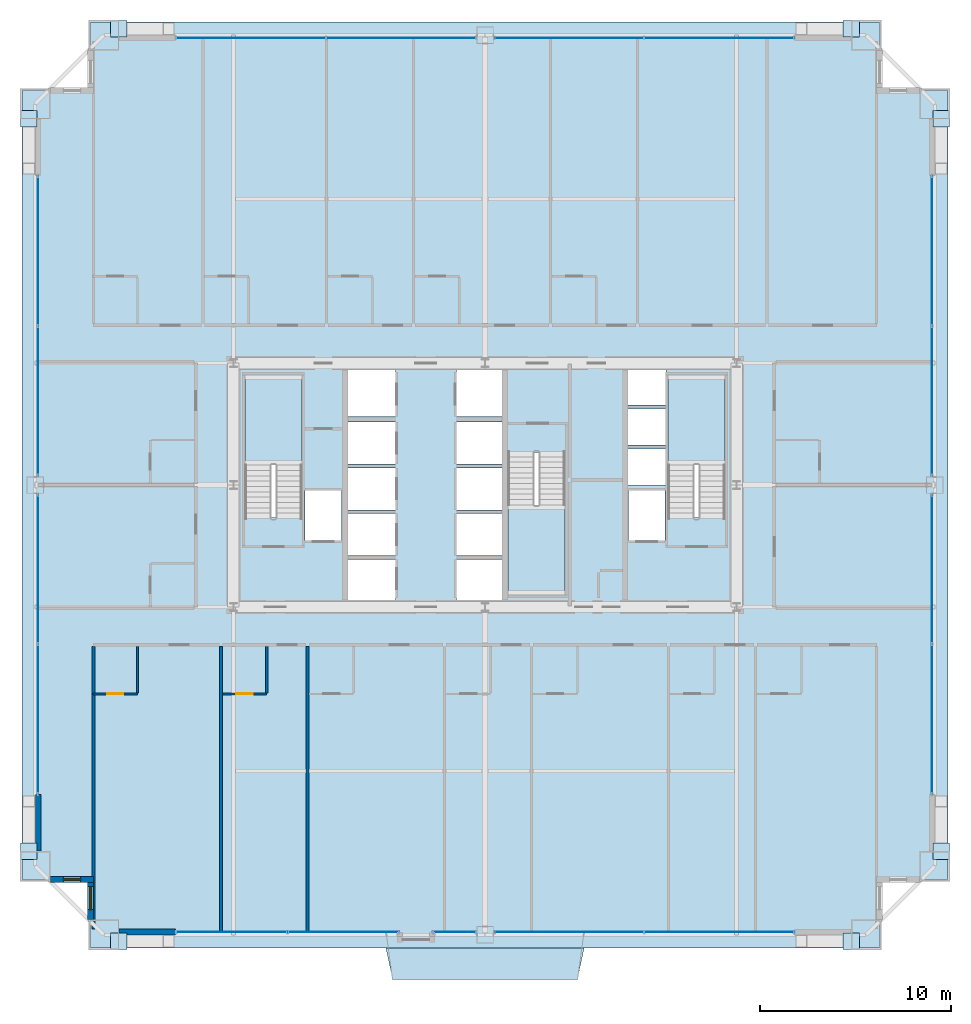
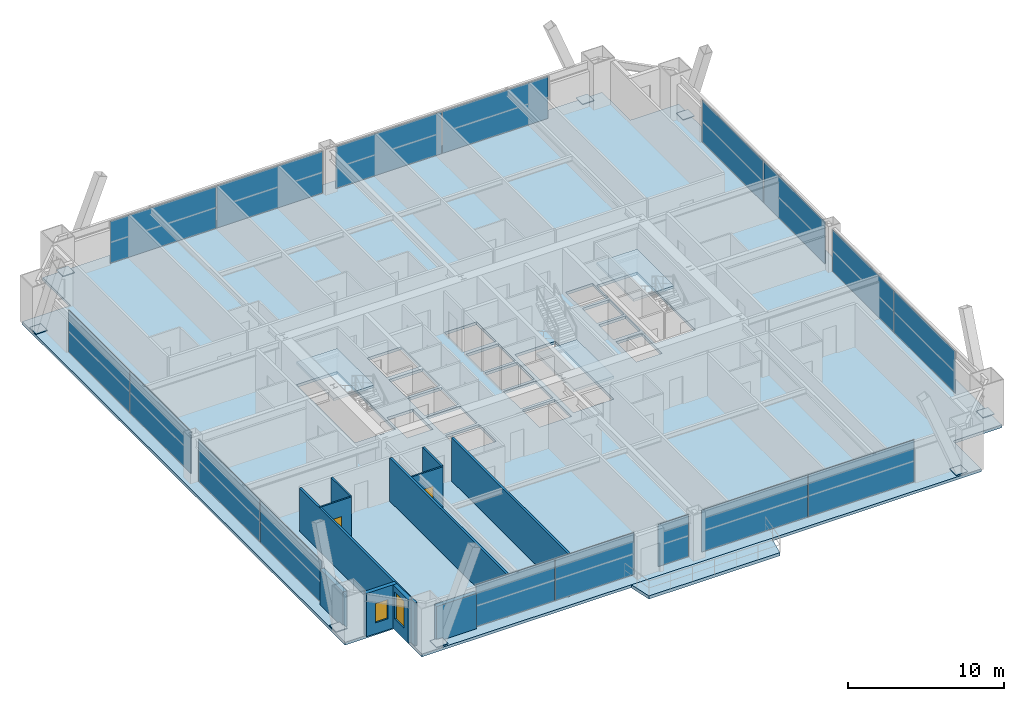
# One storey, part 37 of 43: 25 plates, 11 walls, 5 slabs, 2 doors, 2 windows, 4 openings, 12 elements without a shape of their own.
"""IFC4 building model written with IfcOpenShell, lengths in metres."""

from ifc_helpers import new_model, si_unit, direction, frame, frame_2d, origin, origin_2d, place, context, subcontext, project, spatial, polyline, rectangle, outline, extrude, source, transform, mapped, material, layer, layer_set, type_object, element, fill, aggregate, save


model = new_model("IFC4")

# Units and contexts
model_context = context("Model", 3, precision=1e-05, world=origin(), true_north=direction((0.0, 1.0)))
body_context = subcontext(model_context, "Body", "Model", "MODEL_VIEW")
ifc_project = project(units=[si_unit("LENGTHUNIT", "METRE"), si_unit("AREAUNIT", "SQUARE_METRE"), si_unit("VOLUMEUNIT", "CUBIC_METRE"), si_unit("PLANEANGLEUNIT", "RADIAN"), si_unit("MASSUNIT", "GRAM", prefix="KILO"), si_unit("THERMODYNAMICTEMPERATUREUNIT", "KELVIN"), si_unit("POWERUNIT", "WATT")], contexts=[model_context])

# Site, building, storey
site_placement = place(None, origin())
site = spatial("IfcSite", under=ifc_project, at=site_placement, CompositionType="ELEMENT")
building_placement = place(site_placement, origin())
building = spatial("IfcBuilding", under=site, at=building_placement, Name="Yuzanri Waterfront Tower", CompositionType="ELEMENT")
storey_placement = place(building_placement, frame((0.0, 0.0, 93.800048828125)))
storey = spatial("IfcBuildingStorey", under=building, at=storey_placement, Name="L24", CompositionType="ELEMENT", Elevation=93.800048828125)

# Stair, slab
ifc_material_1 = material(Name="Concrete C40", Category="concrete")
stair_type = type_object("IfcStairType", Name="Concrete C40 Core Dogleg Exit Stair", PredefinedType="HALF_TURN_STAIR", material=ifc_material_1)
stair_1_placement = place(storey_placement, origin())
stair_1 = element("IfcStair", 1, at=stair_1_placement, inside=storey, type_object=stair_type, Name="L24 Smoke-Proof Core Stair ST-01", PredefinedType="HALF_TURN_STAIR")
ifc_material_2 = material(Name="Concrete C40", Category="concrete")
ifc_layer_1 = layer(ifc_material_2, 0.179931640625)
ifc_layer_set_1 = layer_set([ifc_layer_1], Name="Concrete C40")
slab_type_1 = type_object("IfcSlabType", Name="Concrete C40 Stair Half-Landing Slab 180", PredefinedType="LANDING", material=ifc_layer_set_1)
slab_1_placement = place(storey_placement, frame((0.0, 0.0, 1.599853515625)))
slab_1 = element("IfcSlab", 2, at=slab_1_placement, type_object=slab_type_1, Name="ST-01 landing 1", PredefinedType="LANDING", context=body_context, shape_type="SweptSolid", body=[
    extrude(outline(polyline([(27.39990234375, 26.840087890625), (27.39990234375, 31.580078125), (24.39990234375, 31.580078125), (24.39990234375, 26.840087890625), (27.39990234375, 26.840087890625)])), origin(), (0.0, 0.0, 1.0), 0.2001953125),
])
aggregate(stair_1, [slab_1])

stair_2_placement = place(storey_placement, origin())
stair_2 = element("IfcStair", 3, at=stair_2_placement, inside=storey, type_object=stair_type, Name="L24 Smoke-Proof Core Stair ST-02", PredefinedType="HALF_TURN_STAIR")
slab_2_placement = place(storey_placement, frame((0.0, 0.0, 1.599853515625)))
slab_2 = element("IfcSlab", 4, at=slab_2_placement, type_object=slab_type_1, Name="ST-02 landing 1", PredefinedType="LANDING", context=body_context, shape_type="SweptSolid", body=[
    extrude(outline(polyline([(49.60009765625, 26.840087890625), (49.60009765625, 31.580078125), (46.60009765625, 31.580078125), (46.60009765625, 26.840087890625), (49.60009765625, 26.840087890625)])), origin(), (0.0, 0.0, 1.0), 0.2001953125),
])
aggregate(stair_2, [slab_2])

stair_3_placement = place(storey_placement, origin())
stair_3 = element("IfcStair", 5, at=stair_3_placement, inside=storey, type_object=stair_type, Name="L24 Smoke-Proof Core Stair ST-03", PredefinedType="HALF_TURN_STAIR")
slab_3_placement = place(storey_placement, frame((0.0, 0.0, 1.599853515625)))
slab_3 = element("IfcSlab", 6, at=slab_3_placement, type_object=slab_type_1, Name="ST-03 landing 1", PredefinedType="LANDING", context=body_context, shape_type="SweptSolid", body=[
    extrude(outline(polyline([(38.199951171875, 24.760009765625), (38.199951171875, 20.02001953125), (41.199951171875, 20.02001953125), (41.199951171875, 24.760009765625), (38.199951171875, 24.760009765625)])), origin(), (0.0, 0.0, 1.0), 0.2001953125),
])
aggregate(stair_3, [slab_3])

# Slabs
ifc_material_3 = material(Name="Concrete C40", Category="concrete")
ifc_layer_2 = layer(ifc_material_3, 0.25)
ifc_layer_set_2 = layer_set([ifc_layer_2], Name="Concrete C40")
slab_type_2 = type_object("IfcSlabType", Name="Concrete C40 Stepped Gorge Pocket Garden Terrace Slab 250", PredefinedType="FLOOR", material=ifc_layer_set_2)
slab_4_placement = place(storey_placement, frame((0.0, 0.0, -0.25)))
element("IfcSlab", 7, at=slab_4_placement, inside=storey, type_object=slab_type_2, Name="L24 S Cantilevered Engawa Terrace Slab", PredefinedType="FLOOR", context=body_context, shape_type="SweptSolid", body=[
    extrude(outline(polyline([(31.802490234375, 1.5), (42.197509765625, 1.5), (41.847412109375, -0.14599609375), (32.152587890625, -0.14599609375), (31.802490234375, 1.5)])), origin(), (0.0, 0.0, 1.0), 0.25),
])
ifc_material_4 = material(Name="Concrete C40", Category="concrete")
ifc_layer_3 = layer(ifc_material_4, 0.219970703125)
ifc_layer_set_3 = layer_set([ifc_layer_3], Name="Concrete C40")
slab_type_3 = type_object("IfcSlabType", Name="Concrete C40 Tower Typical Structural Floor Slab 220", PredefinedType="FLOOR", material=ifc_layer_set_3)
slab_5_placement = place(storey_placement, frame((0.0, 0.0, -0.219970703125)))
element("IfcSlab", 8, at=slab_5_placement, inside=storey, type_object=slab_type_3, Name="L24 Main Structural Floor Slab", PredefinedType="FLOOR", context=body_context, shape_type="SweptSolid", body=[
    extrude(outline(polyline([(16.300048828125, 1.5), (57.699951171875, 1.5), (57.699951171875, 5.10009765625), (61.300048828125, 5.10009765625), (61.300048828125, 46.5), (57.699951171875, 46.5), (57.699951171875, 50.10009765625), (16.300048828125, 50.10009765625), (16.300048828125, 46.5), (12.699951171875, 46.5), (12.699951171875, 5.10009765625), (16.300048828125, 5.10009765625), (16.300048828125, 1.5)]), holes=[polyline([(27.39990234375, 24.10009765625), (27.39990234375, 31.580078125), (24.39990234375, 31.580078125), (24.39990234375, 24.10009765625), (27.39990234375, 24.10009765625)]), polyline([(49.60009765625, 24.10009765625), (49.60009765625, 31.580078125), (46.60009765625, 31.580078125), (46.60009765625, 24.10009765625), (49.60009765625, 24.10009765625)]), polyline([(38.199951171875, 27.5), (38.199951171875, 20.02001953125), (41.199951171875, 20.02001953125), (41.199951171875, 27.5), (38.199951171875, 27.5)]), polyline([(27.56005859375, 22.89990234375), (29.47998046875, 22.89990234375), (29.47998046875, 25.5), (27.56005859375, 25.5), (27.56005859375, 22.89990234375)]), polyline([(44.52001953125, 22.89990234375), (46.43994140625, 22.89990234375), (46.43994140625, 25.5), (44.52001953125, 25.5), (44.52001953125, 22.89990234375)]), polyline([(29.800048828125, 19.699951171875), (32.300048828125, 19.699951171875), (32.300048828125, 21.89990234375), (29.800048828125, 21.89990234375), (29.800048828125, 19.699951171875)]), polyline([(29.800048828125, 22.10009765625), (32.300048828125, 22.10009765625), (32.300048828125, 24.300048828125), (29.800048828125, 24.300048828125), (29.800048828125, 22.10009765625)]), polyline([(29.800048828125, 24.5), (32.300048828125, 24.5), (32.300048828125, 26.699951171875), (29.800048828125, 26.699951171875), (29.800048828125, 24.5)]), polyline([(29.800048828125, 26.89990234375), (32.300048828125, 26.89990234375), (32.300048828125, 29.10009765625), (29.800048828125, 29.10009765625), (29.800048828125, 26.89990234375)]), polyline([(29.800048828125, 29.39990234375), (32.300048828125, 29.39990234375), (32.300048828125, 31.89990234375), (29.800048828125, 31.89990234375), (29.800048828125, 29.39990234375)]), polyline([(35.5, 19.699951171875), (37.89990234375, 19.699951171875), (37.89990234375, 21.89990234375), (35.5, 21.89990234375), (35.5, 19.699951171875)]), polyline([(35.5, 22.10009765625), (37.89990234375, 22.10009765625), (37.89990234375, 24.300048828125), (35.5, 24.300048828125), (35.5, 22.10009765625)]), polyline([(35.5, 24.5), (37.89990234375, 24.5), (37.89990234375, 26.699951171875), (35.5, 26.699951171875), (35.5, 24.5)]), polyline([(35.5, 26.89990234375), (37.89990234375, 26.89990234375), (37.89990234375, 29.10009765625), (35.5, 29.10009765625), (35.5, 26.89990234375)]), polyline([(35.5, 29.39990234375), (37.89990234375, 29.39990234375), (37.89990234375, 31.89990234375), (35.5, 31.89990234375), (35.5, 29.39990234375)]), polyline([(44.5, 25.800048828125), (46.5, 25.800048828125), (46.5, 27.699951171875), (44.5, 27.699951171875), (44.5, 25.800048828125)]), polyline([(44.5, 27.89990234375), (46.5, 27.89990234375), (46.5, 29.800048828125), (44.5, 29.800048828125), (44.5, 27.89990234375)]), polyline([(44.5, 30.0), (46.5, 30.0), (46.5, 31.89990234375), (44.5, 31.89990234375), (44.5, 30.0)])]), origin(), (0.0, 0.0, 1.0), 0.219970703125),
])

# Plates
ifc_material_5 = material(Name="Steel Q420GJC", Category="steel")
ifc_layer_4 = layer(ifc_material_5, 0.0400390625)
ifc_layer_set_4 = layer_set([ifc_layer_4], Name="Steel Q420GJC")
plate_type_1 = type_object("IfcPlateType", Name="Steel Q420GJC Mega-Brace Gusset and End-Cap Plate 40", PredefinedType="SHEET", material=ifc_layer_set_4)
shared_shape_1 = source(origin(), body_context, "Body", "SweptSolid", [
    extrude(rectangle(XDim=0.85009765625, YDim=0.85009765625, at=origin_2d()), origin(), (0.0, 0.0, 1.0), 0.0400390625),
])
for number, where, z_axis, x_axis, name in (
    (9, (17.780029296875, 1.860107421875, 0.159912109375), (0.0, 0.0, 1.0), (1.0, 0.0, 0.0), "L24 Mega-Brace Foot Cap Plate S-L"),
    (10, (56.219970703125, 1.860107421875, 0.159912109375), (0.0, 0.0, 1.0), (1.0, 0.0, 0.0), "L24 Mega-Brace Foot Cap Plate S-R"),
    (11, (17.780029296875, 49.739990234375, 0.159912109375), (0.0, 0.0, 1.0), (1.0, 0.0, 0.0), "L24 Mega-Brace Foot Cap Plate N-L"),
    (12, (56.219970703125, 49.739990234375, 0.159912109375), (0.0, 0.0, 1.0), (1.0, 0.0, 0.0), "L24 Mega-Brace Foot Cap Plate N-R"),
    (13, (13.06005859375, 6.580078125, 0.159912109375), (0.0, 0.0, 1.0), (1.0, 0.0, 0.0), "L24 Mega-Brace Foot Cap Plate W-L"),
    (14, (13.06005859375, 45.02001953125, 0.159912109375), (0.0, 0.0, 1.0), (1.0, 0.0, 0.0), "L24 Mega-Brace Foot Cap Plate W-R"),
    (15, (60.93994140625, 6.580078125, 0.159912109375), (0.0, 0.0, 1.0), (1.0, 0.0, 0.0), "L24 Mega-Brace Foot Cap Plate E-L"),
    (16, (60.93994140625, 45.02001953125, 0.159912109375), (0.0, 0.0, 1.0), (1.0, 0.0, 0.0), "L24 Mega-Brace Foot Cap Plate E-R"),
):
    element("IfcPlate", number, at=place(storey_placement, frame(where, z_axis=z_axis, x_axis=x_axis)), inside=storey, type_object=plate_type_1, Name=name, PredefinedType="SHEET", context=body_context, shape_type="MappedRepresentation", body=[
        mapped(shared_shape_1, transform((0.0, 0.0, 0.0), scale=1.0)),
    ])

# Curtain wall, plates
ifc_material_6 = material(Name="Anodized Architectural Bronze", Category="metal")
ifc_layer_5 = layer(ifc_material_6, 0.159912109375)
ifc_layer_set_5 = layer_set([ifc_layer_5], Name="Anodized Architectural Bronze")
curtain_wall_type = type_object("IfcCurtainWallType", Name="Anodized Bronze Hotel Upper-Tier Solar-Control Unitized Curtain Wall 7800", PredefinedType="NOTDEFINED", material=ifc_layer_set_5)
curtain_wall_1_placement = place(storey_placement, origin())
curtain_wall_1 = element("IfcCurtainWall", 17, at=curtain_wall_1_placement, inside=storey, type_object=curtain_wall_type, Name="L24 Curtain Wall CW-L24-SR", PredefinedType="NOTDEFINED")
ifc_material_7 = material(Name="Double-Silver Low-E Insulated Glass", Category="glass")
ifc_layer_6 = layer(ifc_material_7, 0.035888671875)
ifc_layer_set_6 = layer_set([ifc_layer_6], Name="Double-Silver Low-E Insulated Glass")
plate_type_2 = type_object("IfcPlateType", Name="Double Silver Low-E Insulated Vision Glass Panel 36", PredefinedType="CURTAIN_PANEL", material=ifc_layer_set_6)
shared_shape_2 = source(origin(), body_context, "Body", "SweptSolid", [
    extrude(rectangle(XDim=7.820068359375, YDim=0.035888671875, at=origin_2d()), origin(), (0.0, 0.0, 1.0), 3.280029296875),
])
plate_1_placement = place(storey_placement, frame((41.39990234375, 2.35009765625, 0.0498046875), z_axis=(0.0, 0.0, 1.0), x_axis=(1.0, 0.0, 0.0)))
plate_1 = element("IfcPlate", 18, at=plate_1_placement, type_object=plate_type_2, Name="CW-L24-SR Vision Glass Panel 01", PredefinedType="CURTAIN_PANEL", context=body_context, shape_type="MappedRepresentation", body=[
    mapped(shared_shape_2, transform((0.0, 0.0, 0.0), scale=1.0)),
])
plate_2_placement = place(storey_placement, frame((49.300048828125, 2.35009765625, 0.0498046875), z_axis=(0.0, 0.0, 1.0), x_axis=(1.0, 0.0, 0.0)))
plate_2 = element("IfcPlate", 19, at=plate_2_placement, type_object=plate_type_2, Name="CW-L24-SR Vision Glass Panel 02", PredefinedType="CURTAIN_PANEL", context=body_context, shape_type="MappedRepresentation", body=[
    mapped(shared_shape_2, transform((0.0, 0.0, 0.0), scale=1.0)),
])
aggregate(curtain_wall_1, [plate_1, plate_2])

curtain_wall_2_placement = place(storey_placement, origin())
curtain_wall_2 = element("IfcCurtainWall", 20, at=curtain_wall_2_placement, inside=storey, type_object=curtain_wall_type, Name="L24 Curtain Wall CW-L24-NL", PredefinedType="NOTDEFINED")
plate_3_placement = place(storey_placement, frame((24.699951171875, 49.25, 0.0498046875), z_axis=(0.0, 0.0, 1.0), x_axis=(1.0, 0.0, 0.0)))
plate_3 = element("IfcPlate", 21, at=plate_3_placement, type_object=plate_type_2, Name="CW-L24-NL Vision Glass Panel 01", PredefinedType="CURTAIN_PANEL", context=body_context, shape_type="MappedRepresentation", body=[
    mapped(shared_shape_2, transform((0.0, 0.0, 0.0), scale=1.0)),
])
plate_4_placement = place(storey_placement, frame((32.60009765625, 49.25, 0.0498046875), z_axis=(0.0, 0.0, 1.0), x_axis=(1.0, 0.0, 0.0)))
plate_4 = element("IfcPlate", 22, at=plate_4_placement, type_object=plate_type_2, Name="CW-L24-NL Vision Glass Panel 02", PredefinedType="CURTAIN_PANEL", context=body_context, shape_type="MappedRepresentation", body=[
    mapped(shared_shape_2, transform((0.0, 0.0, 0.0), scale=1.0)),
])
aggregate(curtain_wall_2, [plate_3, plate_4])

curtain_wall_3_placement = place(storey_placement, origin())
curtain_wall_3 = element("IfcCurtainWall", 23, at=curtain_wall_3_placement, inside=storey, type_object=curtain_wall_type, Name="L24 Curtain Wall CW-L24-NR", PredefinedType="NOTDEFINED")
plate_5_placement = place(storey_placement, frame((41.39990234375, 49.25, 0.0498046875), z_axis=(0.0, 0.0, 1.0), x_axis=(1.0, 0.0, 0.0)))
plate_5 = element("IfcPlate", 24, at=plate_5_placement, type_object=plate_type_2, Name="CW-L24-NR Vision Glass Panel 01", PredefinedType="CURTAIN_PANEL", context=body_context, shape_type="MappedRepresentation", body=[
    mapped(shared_shape_2, transform((0.0, 0.0, 0.0), scale=1.0)),
])
plate_6_placement = place(storey_placement, frame((49.300048828125, 49.25, 0.0498046875), z_axis=(0.0, 0.0, 1.0), x_axis=(1.0, 0.0, 0.0)))
plate_6 = element("IfcPlate", 25, at=plate_6_placement, type_object=plate_type_2, Name="CW-L24-NR Vision Glass Panel 02", PredefinedType="CURTAIN_PANEL", context=body_context, shape_type="MappedRepresentation", body=[
    mapped(shared_shape_2, transform((0.0, 0.0, 0.0), scale=1.0)),
])
aggregate(curtain_wall_3, [plate_5, plate_6])

curtain_wall_4_placement = place(storey_placement, origin())
curtain_wall_4 = element("IfcCurtainWall", 26, at=curtain_wall_4_placement, inside=storey, type_object=curtain_wall_type, Name="L24 Curtain Wall CW-L24-WL", PredefinedType="NOTDEFINED")
plate_7_placement = place(storey_placement, frame((13.550048828125, 13.5, 0.0498046875), z_axis=(0.0, 0.0, 1.0), x_axis=(0.0, 1.0, 0.0)))
plate_7 = element("IfcPlate", 27, at=plate_7_placement, type_object=plate_type_2, Name="CW-L24-WL Vision Glass Panel 01", PredefinedType="CURTAIN_PANEL", context=body_context, shape_type="MappedRepresentation", body=[
    mapped(shared_shape_2, transform((0.0, 0.0, 0.0), scale=1.0)),
])
plate_8_placement = place(storey_placement, frame((13.550048828125, 21.39990234375, 0.0498046875), z_axis=(0.0, 0.0, 1.0), x_axis=(0.0, 1.0, 0.0)))
plate_8 = element("IfcPlate", 28, at=plate_8_placement, type_object=plate_type_2, Name="CW-L24-WL Vision Glass Panel 02", PredefinedType="CURTAIN_PANEL", context=body_context, shape_type="MappedRepresentation", body=[
    mapped(shared_shape_2, transform((0.0, 0.0, 0.0), scale=1.0)),
])
aggregate(curtain_wall_4, [plate_7, plate_8])

curtain_wall_5_placement = place(storey_placement, origin())
curtain_wall_5 = element("IfcCurtainWall", 29, at=curtain_wall_5_placement, inside=storey, type_object=curtain_wall_type, Name="L24 Curtain Wall CW-L24-WR", PredefinedType="NOTDEFINED")
plate_9_placement = place(storey_placement, frame((13.550048828125, 30.199951171875, 0.0498046875), z_axis=(0.0, 0.0, 1.0), x_axis=(0.0, 1.0, 0.0)))
plate_9 = element("IfcPlate", 30, at=plate_9_placement, type_object=plate_type_2, Name="CW-L24-WR Vision Glass Panel 01", PredefinedType="CURTAIN_PANEL", context=body_context, shape_type="MappedRepresentation", body=[
    mapped(shared_shape_2, transform((0.0, 0.0, 0.0), scale=1.0)),
])
plate_10_placement = place(storey_placement, frame((13.550048828125, 38.10009765625, 0.0498046875), z_axis=(0.0, 0.0, 1.0), x_axis=(0.0, 1.0, 0.0)))
plate_10 = element("IfcPlate", 31, at=plate_10_placement, type_object=plate_type_2, Name="CW-L24-WR Vision Glass Panel 02", PredefinedType="CURTAIN_PANEL", context=body_context, shape_type="MappedRepresentation", body=[
    mapped(shared_shape_2, transform((0.0, 0.0, 0.0), scale=1.0)),
])
aggregate(curtain_wall_5, [plate_9, plate_10])

curtain_wall_6_placement = place(storey_placement, origin())
curtain_wall_6 = element("IfcCurtainWall", 32, at=curtain_wall_6_placement, inside=storey, type_object=curtain_wall_type, Name="L24 Curtain Wall CW-L24-EL", PredefinedType="NOTDEFINED")
plate_11_placement = place(storey_placement, frame((60.449951171875, 13.5, 0.0498046875), z_axis=(0.0, 0.0, 1.0), x_axis=(0.0, 1.0, 0.0)))
plate_11 = element("IfcPlate", 33, at=plate_11_placement, type_object=plate_type_2, Name="CW-L24-EL Vision Glass Panel 01", PredefinedType="CURTAIN_PANEL", context=body_context, shape_type="MappedRepresentation", body=[
    mapped(shared_shape_2, transform((0.0, 0.0, 0.0), scale=1.0)),
])
plate_12_placement = place(storey_placement, frame((60.449951171875, 21.39990234375, 0.0498046875), z_axis=(0.0, 0.0, 1.0), x_axis=(0.0, 1.0, 0.0)))
plate_12 = element("IfcPlate", 34, at=plate_12_placement, type_object=plate_type_2, Name="CW-L24-EL Vision Glass Panel 02", PredefinedType="CURTAIN_PANEL", context=body_context, shape_type="MappedRepresentation", body=[
    mapped(shared_shape_2, transform((0.0, 0.0, 0.0), scale=1.0)),
])
aggregate(curtain_wall_6, [plate_11, plate_12])

curtain_wall_7_placement = place(storey_placement, origin())
curtain_wall_7 = element("IfcCurtainWall", 35, at=curtain_wall_7_placement, inside=storey, type_object=curtain_wall_type, Name="L24 Curtain Wall CW-L24-ER", PredefinedType="NOTDEFINED")
plate_13_placement = place(storey_placement, frame((60.449951171875, 30.199951171875, 0.0498046875), z_axis=(0.0, 0.0, 1.0), x_axis=(0.0, 1.0, 0.0)))
plate_13 = element("IfcPlate", 36, at=plate_13_placement, type_object=plate_type_2, Name="CW-L24-ER Vision Glass Panel 01", PredefinedType="CURTAIN_PANEL", context=body_context, shape_type="MappedRepresentation", body=[
    mapped(shared_shape_2, transform((0.0, 0.0, 0.0), scale=1.0)),
])
plate_14_placement = place(storey_placement, frame((60.449951171875, 38.10009765625, 0.0498046875), z_axis=(0.0, 0.0, 1.0), x_axis=(0.0, 1.0, 0.0)))
plate_14 = element("IfcPlate", 37, at=plate_14_placement, type_object=plate_type_2, Name="CW-L24-ER Vision Glass Panel 02", PredefinedType="CURTAIN_PANEL", context=body_context, shape_type="MappedRepresentation", body=[
    mapped(shared_shape_2, transform((0.0, 0.0, 0.0), scale=1.0)),
])
aggregate(curtain_wall_7, [plate_13, plate_14])

curtain_wall_8_placement = place(storey_placement, origin())
curtain_wall_8 = element("IfcCurtainWall", 38, at=curtain_wall_8_placement, inside=storey, type_object=curtain_wall_type, Name="L24 Curtain Wall CW-L24-SL1", PredefinedType="NOTDEFINED")
shared_shape_3 = source(origin(), body_context, "Body", "SweptSolid", [
    extrude(rectangle(XDim=5.8095703125, YDim=0.035888671875, at=origin_2d()), origin(), (0.0, 0.0, 1.0), 3.280029296875),
])
plate_15_placement = place(storey_placement, frame((23.694580078125, 2.35009765625, 0.0498046875), z_axis=(0.0, 0.0, 1.0), x_axis=(1.0, 0.0, 0.0)))
plate_15 = element("IfcPlate", 39, at=plate_15_placement, type_object=plate_type_2, Name="CW-L24-SL1 Vision Glass Panel 01", PredefinedType="CURTAIN_PANEL", context=body_context, shape_type="MappedRepresentation", body=[
    mapped(shared_shape_3, transform((0.0, 0.0, 0.0), scale=1.0)),
])
plate_16_placement = place(storey_placement, frame((29.584228515625, 2.35009765625, 0.0498046875), z_axis=(0.0, 0.0, 1.0), x_axis=(1.0, 0.0, 0.0)))
plate_16 = element("IfcPlate", 40, at=plate_16_placement, type_object=plate_type_2, Name="CW-L24-SL1 Vision Glass Panel 02", PredefinedType="CURTAIN_PANEL", context=body_context, shape_type="MappedRepresentation", body=[
    mapped(shared_shape_3, transform((0.0, 0.0, 0.0), scale=1.0)),
])
aggregate(curtain_wall_8, [plate_15, plate_16])

# Curtain wall, plate
curtain_wall_9_placement = place(storey_placement, origin())
curtain_wall_9 = element("IfcCurtainWall", 41, at=curtain_wall_9_placement, inside=storey, type_object=curtain_wall_type, Name="L24 Curtain Wall CW-L24-SL2", PredefinedType="NOTDEFINED")
shared_shape_4 = source(origin(), body_context, "Body", "SweptSolid", [
    extrude(rectangle(XDim=2.240966796875, YDim=0.035888671875, at=origin_2d()), origin(), (0.0, 0.0, 1.0), 3.280029296875),
])
plate_17_placement = place(storey_placement, frame((35.389404296875, 2.35009765625, 0.0498046875), z_axis=(0.0, 0.0, 1.0), x_axis=(1.0, 0.0, 0.0)))
plate_17 = element("IfcPlate", 42, at=plate_17_placement, type_object=plate_type_2, Name="CW-L24-SL2 Vision Glass Panel 01", PredefinedType="CURTAIN_PANEL", context=body_context, shape_type="MappedRepresentation", body=[
    mapped(shared_shape_4, transform((0.0, 0.0, 0.0), scale=1.0)),
])
aggregate(curtain_wall_9, [plate_17])

# Wall, opening, door
ifc_material_8 = material(Name="Moisture-Resistant Gypsum Stud Wall", Category="gypsum")
ifc_layer_7 = layer(ifc_material_8, 0.1201171875)
ifc_layer_set_7 = layer_set([ifc_layer_7], Name="Moisture-Resistant Gypsum Stud Wall")
wall_type_1 = type_object("IfcWallType", Name="Bathroom and Kitchen Wet Partition 120", PredefinedType="PARTITIONING", material=ifc_layer_set_7)
wall_1_placement = place(storey_placement, frame((16.43994140625, 14.840087890625, 0.0), z_axis=(0.0, 0.0, 1.0), x_axis=(1.0, 0.0, 0.0)))
wall_1 = element("IfcWall", 43, at=wall_1_placement, inside=storey, type_object=wall_type_1, Name="L24 Partition UW-L24-S1-BS", PredefinedType="PARTITIONING", context=body_context, shape_type="SweptSolid", body=[
    extrude(rectangle(XDim=2.330078125, YDim=0.1201171875, at=frame_2d((1.1650390625, 0.0))), origin(), (0.0, 0.0, 1.0), 3.3798828125),
])
opening_1_placement = place(wall_1_placement, frame((0.739990234375, 0.0, 0.0)))
opening_1 = element("IfcOpeningElement", 44, at=opening_1_placement, cuts=wall_1, Name="Opening ID-0850", PredefinedType="OPENING", context=body_context, shape_type="SweptSolid", body=[
    extrude(rectangle(XDim=0.85009765625, YDim=2.10009765625, at=frame_2d((0.425048828125, 1.050048828125))), frame((0.0, 0.074951171875, 0.0), z_axis=(0.0, -1.0, 0.0), x_axis=(1.0, 0.0, 0.0)), (0.0, 0.0, 1.0), 0.14990234375),
])
ifc_material_9 = material(Name="Moisture-Resistant Lacquered Timber", Category="wood")
door_type = type_object("IfcDoorType", Name="En-Suite Bathroom and Kitchen Swing Door 850x2100", OperationType="NOTDEFINED", PredefinedType="DOOR", material=ifc_material_9)
shared_shape_5 = source(origin(), body_context, "Body", "SweptSolid", [
    extrude(rectangle(XDim=0.85009765625, YDim=2.10009765625, at=frame_2d((0.425048828125, 1.050048828125))), frame((0.0, 0.02490234375, 0.0), z_axis=(0.0, -1.0, 0.0), x_axis=(1.0, 0.0, 0.0)), (0.0, 0.0, 1.0), 0.050048828125),
])
door_1_placement = place(opening_1_placement, origin())
door_1 = element("IfcDoor", 45, at=door_1_placement, inside=storey, type_object=door_type, Name="L24 Guest En-Suite Door", OperationType="SINGLE_SWING_LEFT", OverallHeight=2.10009765625, OverallWidth=0.85009765625, PredefinedType="DOOR", context=body_context, shape_type="MappedRepresentation", body=[
    mapped(shared_shape_5, transform((0.0, 0.0, 0.0), scale=1.0)),
])
fill(opening_1, door_1)

wall_2_placement = place(storey_placement, frame((23.217041015625, 14.840087890625, 0.0), z_axis=(0.0, 0.0, 1.0), x_axis=(1.0, 0.0, 0.0)))
wall_2 = element("IfcWall", 46, at=wall_2_placement, inside=storey, type_object=wall_type_1, Name="L24 Partition UW-L24-S2-BS", PredefinedType="PARTITIONING", context=body_context, shape_type="SweptSolid", body=[
    extrude(rectangle(XDim=2.327880859375, YDim=0.1201171875, at=frame_2d((1.1640625, 0.0))), origin(), (0.0, 0.0, 1.0), 3.3798828125),
])
opening_2_placement = place(wall_2_placement, frame((0.739013671875, 0.0, 0.0)))
opening_2 = element("IfcOpeningElement", 47, at=opening_2_placement, cuts=wall_2, Name="Opening ID-0850", PredefinedType="OPENING", context=body_context, shape_type="SweptSolid", body=[
    extrude(rectangle(XDim=0.85009765625, YDim=2.10009765625, at=frame_2d((0.425048828125, 1.050048828125))), frame((0.0, 0.074951171875, 0.0), z_axis=(0.0, -1.0, 0.0), x_axis=(1.0, 0.0, 0.0)), (0.0, 0.0, 1.0), 0.14990234375),
])
door_2_placement = place(opening_2_placement, origin())
door_2 = element("IfcDoor", 48, at=door_2_placement, inside=storey, type_object=door_type, Name="L24 Guest En-Suite Door", OperationType="SINGLE_SWING_LEFT", OverallHeight=2.10009765625, OverallWidth=0.85009765625, PredefinedType="DOOR", context=body_context, shape_type="MappedRepresentation", body=[
    mapped(shared_shape_5, transform((0.0, 0.0, 0.0), scale=1.0)),
])
fill(opening_2, door_2)

# Wall, opening, window
ifc_material_10 = material(Name="Honed Chongqing Dark Basalt Stone", Category="masonry")
ifc_layer_8 = layer(ifc_material_10, 0.300048828125)
ifc_layer_set_8 = layer_set([ifc_layer_8], Name="Honed Chongqing Dark Basalt Stone")
wall_type_2 = type_object("IfcWallType", Name="Bronze Rainscreen Insulated Spandrel Portal Wall 300", PredefinedType="SOLIDWALL", material=ifc_layer_set_8)
wall_3_placement = place(storey_placement, frame((14.199951171875, 5.10009765625, 0.0), z_axis=(0.0, 0.0, 1.0), x_axis=(1.0, 0.0, 0.0)))
wall_3 = element("IfcWall", 49, at=wall_3_placement, inside=storey, type_object=wall_type_2, Name="L24 Notched Corner Masonry Wall SW-X", PredefinedType="SOLIDWALL", context=body_context, shape_type="SweptSolid", body=[
    extrude(rectangle(XDim=2.25, YDim=0.300048828125, at=frame_2d((1.125, 0.0))), origin(), (0.0, 0.0, 1.0), 3.3798828125),
])
opening_3_placement = place(wall_3_placement, frame((0.675048828125, 0.0, 0.85009765625)))
opening_3 = element("IfcOpeningElement", 50, at=opening_3_placement, cuts=wall_3, Name="Opening WN-05", PredefinedType="OPENING", context=body_context, shape_type="SweptSolid", body=[
    extrude(rectangle(XDim=0.89990234375, YDim=1.5, at=frame_2d((0.449951171875, 0.75))), frame((0.0, 0.1650390625, 0.0), z_axis=(0.0, -1.0, 0.0), x_axis=(1.0, 0.0, 0.0)), (0.0, 0.0, 1.0), 0.329833984375),
])
ifc_material_11 = material(Name="Double-Silver Low-E Insulated Glass", Category="glass")
window_type_1 = type_object("IfcWindowType", Name="Anodized Bronze Service and Stairwell Smoke-Vent Window 900x1500", PartitioningType="SINGLE_PANEL", PredefinedType="WINDOW", material=ifc_material_11)
shared_shape_6 = source(origin(), body_context, "Body", "SweptSolid", [
    extrude(rectangle(XDim=0.89990234375, YDim=1.5, at=frame_2d((0.449951171875, 0.75))), frame((0.0, 0.030029296875, 0.0), z_axis=(0.0, -1.0, 0.0), x_axis=(1.0, 0.0, 0.0)), (0.0, 0.0, 1.0), 0.06005859375),
])
window_1_placement = place(opening_3_placement, origin())
window_1 = element("IfcWindow", 51, at=window_1_placement, inside=storey, type_object=window_type_1, Name="L24 Notched Corner Window SW-X", OverallHeight=1.5, OverallWidth=0.89990234375, PartitioningType="SINGLE_PANEL", PredefinedType="WINDOW", context=body_context, shape_type="MappedRepresentation", body=[
    mapped(shared_shape_6, transform((0.0, 0.0, 0.0), scale=1.0)),
])
fill(opening_3, window_1)

wall_4_placement = place(storey_placement, frame((16.300048828125, 5.25, 0.0), z_axis=(0.0, 0.0, 1.0), x_axis=(0.0, -1.0, 0.0)))
wall_4 = element("IfcWall", 52, at=wall_4_placement, inside=storey, type_object=wall_type_2, Name="L24 Notched Corner Masonry Wall SW-Y", PredefinedType="SOLIDWALL", context=body_context, shape_type="SweptSolid", body=[
    extrude(rectangle(XDim=2.25, YDim=0.300048828125, at=frame_2d((1.125, 0.0))), origin(), (0.0, 0.0, 1.0), 3.3798828125),
])
opening_4_placement = place(wall_4_placement, frame((0.52490234375, 0.0, 0.85009765625)))
opening_4 = element("IfcOpeningElement", 53, at=opening_4_placement, cuts=wall_4, Name="Opening WN-02", PredefinedType="OPENING", context=body_context, shape_type="SweptSolid", body=[
    extrude(rectangle(XDim=1.199951171875, YDim=2.10009765625, at=frame_2d((0.60009765625, 1.050048828125))), frame((0.0, 0.1650390625, 0.0), z_axis=(0.0, -1.0, 0.0), x_axis=(1.0, 0.0, 0.0)), (0.0, 0.0, 1.0), 0.329833984375),
])
ifc_material_12 = material(Name="Double-Silver Low-E Insulated Glass", Category="glass")
window_type_2 = type_object("IfcWindowType", Name="Anodized Bronze Notched Corner Deep-Set Slot Window 1200x2100", PartitioningType="SINGLE_PANEL", PredefinedType="WINDOW", material=ifc_material_12)
shared_shape_7 = source(origin(), body_context, "Body", "SweptSolid", [
    extrude(rectangle(XDim=1.199951171875, YDim=2.10009765625, at=frame_2d((0.60009765625, 1.050048828125))), frame((0.0, 0.030029296875, 0.0), z_axis=(0.0, -1.0, 0.0), x_axis=(1.0, 0.0, 0.0)), (0.0, 0.0, 1.0), 0.06005859375),
])
window_2_placement = place(opening_4_placement, origin())
window_2 = element("IfcWindow", 54, at=window_2_placement, inside=storey, type_object=window_type_2, Name="L24 Notched Corner Window SW-Y", OverallHeight=2.10009765625, OverallWidth=1.199951171875, PartitioningType="SINGLE_PANEL", PredefinedType="WINDOW", context=body_context, shape_type="MappedRepresentation", body=[
    mapped(shared_shape_7, transform((0.0, 0.0, 0.0), scale=1.0)),
])
fill(opening_4, window_2)

# Walls
shared_shape_8 = source(origin(), body_context, "Body", "SweptSolid", [
    extrude(rectangle(XDim=2.949951171875, YDim=0.300048828125, at=frame_2d((1.47509765625, 0.0))), origin(), (0.0, 0.0, 1.0), 2.77490234375),
])
for number, where, z_axis, x_axis, name in (
    (55, (17.800048828125, 2.35009765625, 0.0), (0.0, 0.0, 1.0), (1.0, 0.0, 0.0), "L24 S Left Braced Masonry Shoulder"),
    (56, (13.550048828125, 6.60009765625, 0.0), (0.0, 0.0, 1.0), (0.0, 1.0, 0.0), "L24 W Left Braced Masonry Shoulder"),
):
    element("IfcWall", number, at=place(storey_placement, frame(where, z_axis=z_axis, x_axis=x_axis)), inside=storey, type_object=wall_type_2, Name=name, PredefinedType="SOLIDWALL", context=body_context, shape_type="MappedRepresentation", body=[
        mapped(shared_shape_8, transform((0.0, 0.0, 0.0), scale=1.0)),
    ])
shared_shape_9 = source(origin(), body_context, "Body", "SweptSolid", [
    extrude(rectangle(XDim=2.420166015625, YDim=0.1201171875, at=frame_2d((1.2099609375, 0.0))), origin(), (0.0, 0.0, 1.0), 3.3798828125),
])
for number, where, z_axis, x_axis, name in (
    (57, (18.77001953125, 14.89990234375, 0.0), (0.0, 0.0, 1.0), (0.0, 1.0, 0.0), "L24-S1 En-Suite Side Wall"),
    (58, (25.544921875, 14.89990234375, 0.0), (0.0, 0.0, 1.0), (0.0, 1.0, 0.0), "L24-S2 En-Suite Side Wall"),
):
    element("IfcWall", number, at=place(storey_placement, frame(where, z_axis=z_axis, x_axis=x_axis)), inside=storey, type_object=wall_type_1, Name=name, PredefinedType="PARTITIONING", context=body_context, shape_type="MappedRepresentation", body=[
        mapped(shared_shape_9, transform((0.0, 0.0, 0.0), scale=1.0)),
    ])
ifc_material_13 = material(Name="Gypsum Fireboard Acoustic Stud Wall", Category="gypsum")
ifc_layer_9 = layer(ifc_material_13, 0.159912109375)
ifc_layer_set_9 = layer_set([ifc_layer_9], Name="Gypsum Fireboard Acoustic Stud Wall")
wall_type_3 = type_object("IfcWallType", Name="Acoustic Suite Demising Partition 160", PredefinedType="PARTITIONING", material=ifc_layer_set_9)
shared_shape_10 = source(origin(), body_context, "Body", "SweptSolid", [
    extrude(rectangle(XDim=14.969970703125, YDim=0.159912109375, at=frame_2d((7.48486328125, 0.0))), origin(), (0.0, 0.0, 1.0), 3.3798828125),
])
for number, where, z_axis, x_axis, name in (
    (59, (23.136962890625, 2.35009765625, 0.0), (0.0, 0.0, 1.0), (0.0, 1.0, 0.0), "L24-S1 Party Wall"),
    (60, (27.695068359375, 2.35009765625, 0.0), (0.0, 0.0, 1.0), (0.0, 1.0, 0.0), "L24-S2 Party Wall"),
):
    element("IfcWall", number, at=place(storey_placement, frame(where, z_axis=z_axis, x_axis=x_axis)), inside=storey, type_object=wall_type_3, Name=name, PredefinedType="PARTITIONING", context=body_context, shape_type="MappedRepresentation", body=[
        mapped(shared_shape_10, transform((0.0, 0.0, 0.0), scale=1.0)),
    ])
shared_shape_11 = source(origin(), body_context, "Body", "SweptSolid", [
    extrude(rectangle(XDim=14.820068359375, YDim=0.159912109375, at=frame_2d((7.41015625, 0.0))), origin(), (0.0, 0.0, 1.0), 3.3798828125),
])
wall_5_placement = place(storey_placement, frame((16.449951171875, 2.5, 0.0), z_axis=(0.0, 0.0, 1.0), x_axis=(0.0, 1.0, 0.0)))
element("IfcWall", 61, at=wall_5_placement, inside=storey, type_object=wall_type_3, Name="L24 South Band West End Wall", PredefinedType="PARTITIONING", context=body_context, shape_type="MappedRepresentation", body=[
    mapped(shared_shape_11, transform((0.0, 0.0, 0.0), scale=1.0)),
])

save(model, "model.ifc")
